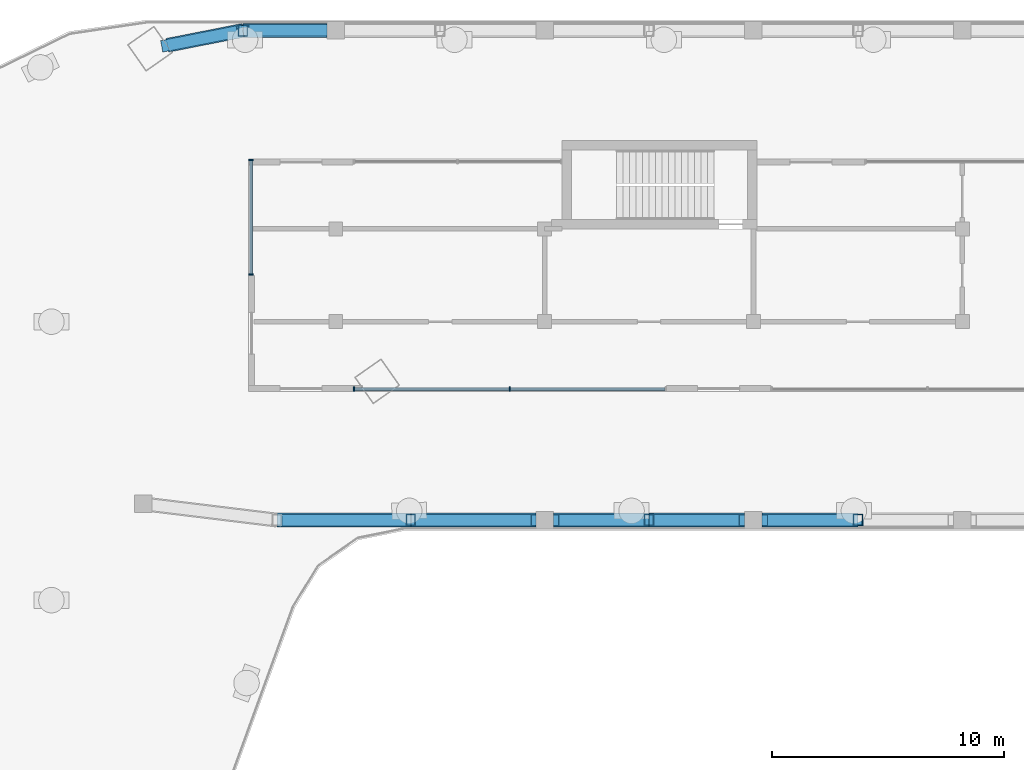
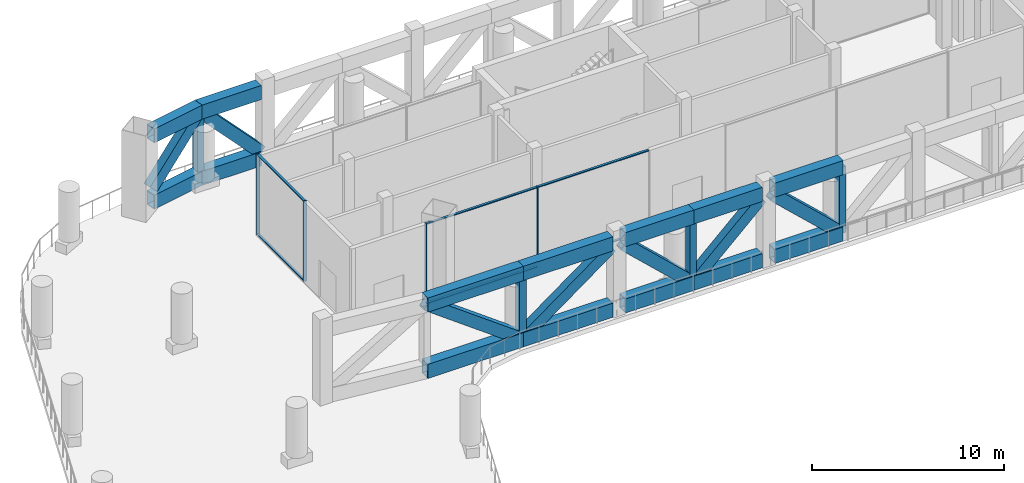
# One storey, part 2 of 14: 35 members, 2 elements without a shape of their own.
"""IFC4 building model written with IfcOpenShell, lengths in metres."""

from ifc_helpers import new_model, si_unit, direction, frame, origin, origin_2d, place, context, subcontext, project, spatial, rectangle, hollow_rectangle, extrude, material, material_profile, profile_set, type_object, element, aggregate, save


model = new_model("IFC4")

# Units and contexts
model_context = context("Model", 3, precision=1e-05, world=origin(), true_north=direction((0.0, 1.0)))
body_context = subcontext(model_context, "Body", "Model", "MODEL_VIEW")
ifc_project = project(units=[si_unit("LENGTHUNIT", "METRE"), si_unit("AREAUNIT", "SQUARE_METRE"), si_unit("VOLUMEUNIT", "CUBIC_METRE"), si_unit("PLANEANGLEUNIT", "RADIAN"), si_unit("MASSUNIT", "GRAM", prefix="KILO")], contexts=[model_context])

# Site, building, storey
site_placement = place(None, origin())
site = spatial("IfcSite", under=ifc_project, at=site_placement, CompositionType="ELEMENT")
building_placement = place(site_placement, origin())
building = spatial("IfcBuilding", under=site, at=building_placement, Name="Skarvind Civic Tower", CompositionType="ELEMENT")
storey_placement = place(building_placement, frame((0.0, 0.0, 236.0)))
storey = spatial("IfcBuildingStorey", under=building, at=storey_placement, Name="L56", CompositionType="ELEMENT", Elevation=236.0)

# Curtain wall, members
ifc_material_1 = material(Name="Aluminium alloy 6063 and laminated glass", Category="aluminium")
curtain_wall_type = type_object("IfcCurtainWallType", Name="CW3 SEPARATOR INNER GLAZING", PredefinedType="NOTDEFINED", material=ifc_material_1)
curtain_wall_1_placement = place(storey_placement, origin())
curtain_wall_1 = element("IfcCurtainWall", 1, at=curtain_wall_1_placement, inside=storey, type_object=curtain_wall_type, Name="SEPARATOR INNER GLAZING", PredefinedType="NOTDEFINED")
ifc_material_2 = material(Name="Aluminium alloy 6063", Category="aluminium")
ifc_material_profile_1 = material_profile(ifc_material_2, rectangle(XDim=0.199951171875, YDim=0.06005859375, at=origin_2d()), Name="AL 60x200")
ifc_profile_set_1 = profile_set([ifc_material_profile_1], Name="Aluminium alloy 6063")
member_type_1 = type_object("IfcMemberType", Name="CW3 MULLION 60x200", PredefinedType="MULLION", material=ifc_profile_set_1)
member_1_placement = place(storey_placement, frame((50.60009765625, 128.030029296875, 0.0), z_axis=(0.0, 0.0, 1.0), x_axis=(-1.0, 0.0, 0.0)))
member_1 = element("IfcMember", 2, at=member_1_placement, type_object=member_type_1, Name="CW3 mullion 1", PredefinedType="MULLION", context=body_context, shape_type="SweptSolid", body=[
    extrude(rectangle(XDim=0.199951171875, YDim=0.06005859375, at=origin_2d()), origin(), (0.0, 0.0, 1.0), 5.125),
])
member_2_placement = place(storey_placement, frame((50.60009765625, 132.969970703125, 0.0), z_axis=(0.0, 0.0, 1.0), x_axis=(-1.0, 0.0, 0.0)))
member_2 = element("IfcMember", 3, at=member_2_placement, type_object=member_type_1, Name="CW3 mullion 2", PredefinedType="MULLION", context=body_context, shape_type="SweptSolid", body=[
    extrude(rectangle(XDim=0.199951171875, YDim=0.06005859375, at=origin_2d()), origin(), (0.0, 0.0, 1.0), 5.125),
])

curtain_wall_2_placement = place(storey_placement, origin())
curtain_wall_2 = element("IfcCurtainWall", 4, at=curtain_wall_2_placement, inside=storey, type_object=curtain_wall_type, Name="SEPARATOR INNER GLAZING", PredefinedType="NOTDEFINED")
member_3_placement = place(storey_placement, frame((61.75, 123.10009765625, 0.0), z_axis=(0.0, 0.0, 1.0), x_axis=(0.0, -1.0, 0.0)))
member_3 = element("IfcMember", 5, at=member_3_placement, type_object=member_type_1, Name="CW3 mullion 2", PredefinedType="MULLION", context=body_context, shape_type="SweptSolid", body=[
    extrude(rectangle(XDim=0.199951171875, YDim=0.06005859375, at=origin_2d()), origin(), (0.0, 0.0, 1.0), 5.125),
])
member_4_placement = place(storey_placement, frame((55.030029296875, 123.10009765625, 0.0), z_axis=(0.0, 0.0, 1.0), x_axis=(0.0, -1.0, 0.0)))
member_4 = element("IfcMember", 6, at=member_4_placement, type_object=member_type_1, Name="CW3 mullion 3", PredefinedType="MULLION", context=body_context, shape_type="SweptSolid", body=[
    extrude(rectangle(XDim=0.199951171875, YDim=0.06005859375, at=origin_2d()), origin(), (0.0, 0.0, 1.0), 5.125),
])

# Member
ifc_material_profile_2 = material_profile(ifc_material_2, rectangle(XDim=0.139892578125, YDim=0.06005859375, at=origin_2d()), Name="AL 60x140")
ifc_profile_set_2 = profile_set([ifc_material_profile_2], Name="Aluminium alloy 6063")
member_type_2 = type_object("IfcMemberType", Name="CW3 TRANSOM 60x140", PredefinedType="USERDEFINED", material=ifc_profile_set_2)
member_5_placement = place(storey_placement, frame((50.60009765625, 128.06005859375, 0.030029296875), z_axis=(0.0, 1.0, 0.0), x_axis=(-1.0, 0.0, 0.0)))
member_5 = element("IfcMember", 7, at=member_5_placement, type_object=member_type_2, Name="CW3 transom 1.1", ObjectType="TRANSOM", PredefinedType="USERDEFINED", context=body_context, shape_type="SweptSolid", body=[
    extrude(rectangle(XDim=0.139892578125, YDim=0.06005859375, at=origin_2d()), origin(), (0.0, 0.0, 1.0), 4.8798828125),
])

member_6_placement = place(storey_placement, frame((50.60009765625, 128.06005859375, 5.094970703125), z_axis=(0.0, 1.0, 0.0), x_axis=(-1.0, 0.0, 0.0)))
member_6 = element("IfcMember", 8, at=member_6_placement, type_object=member_type_2, Name="CW3 transom 1.2", ObjectType="TRANSOM", PredefinedType="USERDEFINED", context=body_context, shape_type="SweptSolid", body=[
    extrude(rectangle(XDim=0.139892578125, YDim=0.06005859375, at=origin_2d()), origin(), (0.0, 0.0, 1.0), 4.8798828125),
])

aggregate(curtain_wall_1, [member_1, member_2, member_5, member_6])

member_7_placement = place(storey_placement, frame((68.43994140625, 123.10009765625, 0.030029296875), z_axis=(-1.0, 0.0, 0.0), x_axis=(0.0, -1.0, 0.0)))
member_7 = element("IfcMember", 9, at=member_7_placement, type_object=member_type_2, Name="CW3 transom 1.1", ObjectType="TRANSOM", PredefinedType="USERDEFINED", context=body_context, shape_type="SweptSolid", body=[
    extrude(rectangle(XDim=0.139892578125, YDim=0.06005859375, at=origin_2d()), origin(), (0.0, 0.0, 1.0), 6.659912109375),
])

member_8_placement = place(storey_placement, frame((68.43994140625, 123.10009765625, 5.094970703125), z_axis=(-1.0, 0.0, 0.0), x_axis=(0.0, -1.0, 0.0)))
member_8 = element("IfcMember", 10, at=member_8_placement, type_object=member_type_2, Name="CW3 transom 1.2", ObjectType="TRANSOM", PredefinedType="USERDEFINED", context=body_context, shape_type="SweptSolid", body=[
    extrude(rectangle(XDim=0.139892578125, YDim=0.06005859375, at=origin_2d()), origin(), (0.0, 0.0, 1.0), 6.659912109375),
])

member_9_placement = place(storey_placement, frame((61.719970703125, 123.10009765625, 0.030029296875), z_axis=(-1.0, 0.0, 0.0), x_axis=(0.0, -1.0, 0.0)))
member_9 = element("IfcMember", 11, at=member_9_placement, type_object=member_type_2, Name="CW3 transom 2.1", ObjectType="TRANSOM", PredefinedType="USERDEFINED", context=body_context, shape_type="SweptSolid", body=[
    extrude(rectangle(XDim=0.139892578125, YDim=0.06005859375, at=origin_2d()), origin(), (0.0, 0.0, 1.0), 6.659912109375),
])

member_10_placement = place(storey_placement, frame((61.719970703125, 123.10009765625, 5.094970703125), z_axis=(-1.0, 0.0, 0.0), x_axis=(0.0, -1.0, 0.0)))
member_10 = element("IfcMember", 12, at=member_10_placement, type_object=member_type_2, Name="CW3 transom 2.2", ObjectType="TRANSOM", PredefinedType="USERDEFINED", context=body_context, shape_type="SweptSolid", body=[
    extrude(rectangle(XDim=0.139892578125, YDim=0.06005859375, at=origin_2d()), origin(), (0.0, 0.0, 1.0), 6.659912109375),
])

aggregate(curtain_wall_2, [member_3, member_4, member_7, member_8, member_9, member_10])

# Members
ifc_material_3 = material(Name="Steel SM355", Category="steel")
ifc_material_profile_3 = material_profile(ifc_material_3, hollow_rectangle(XDim=0.60009765625, YDim=0.89990234375, WallThickness=0.031982421875, at=origin_2d()), Name="BOX-900x600x32")
ifc_profile_set_3 = profile_set([ifc_material_profile_3], Name="Steel SM355")
member_type_3 = type_object("IfcMemberType", Name="Truss chord BOX-900x600x32 SM355", PredefinedType="CHORD", material=ifc_profile_set_3)
for number, where, z_axis, x_axis, name in (
    (13, (46.998046875, 137.91015625, 0.449951171875), (0.981168592645, 0.193153288367, 0.0), (-0.193153288367, 0.981168592645, 0.0), "Outrigger truss L56 W1N chord"),
    (14, (46.998046875, 137.91015625, 4.675048828125), (0.981168592645, 0.193153288367, 0.0), (-0.193153288367, 0.981168592645, 0.0), "Outrigger truss L56 W1N chord"),
):
    element("IfcMember", number, at=place(storey_placement, frame(where, z_axis=z_axis, x_axis=x_axis)), inside=storey, type_object=member_type_3, Name=name, PredefinedType="CHORD", context=body_context, shape_type="SweptSolid", body=[
        extrude(hollow_rectangle(XDim=0.60009765625, YDim=0.89990234375, WallThickness=0.031982421875, at=origin_2d()), origin(), (0.0, 0.0, 1.0), 3.31298828125),
    ])
for number, where, z_axis, x_axis, name in (
    (15, (50.24853515625, 138.550048828125, 0.449951171875), (1.0, 0.0, 0.0), (0.0, 1.0, 0.0), "Outrigger truss L56 W1N chord"),
    (16, (50.24853515625, 138.550048828125, 4.675048828125), (1.0, 0.0, 0.0), (0.0, 1.0, 0.0), "Outrigger truss L56 W1N chord"),
):
    element("IfcMember", number, at=place(storey_placement, frame(where, z_axis=z_axis, x_axis=x_axis)), inside=storey, type_object=member_type_3, Name=name, PredefinedType="CHORD", context=body_context, shape_type="SweptSolid", body=[
        extrude(hollow_rectangle(XDim=0.60009765625, YDim=0.89990234375, WallThickness=0.031982421875, at=origin_2d()), origin(), (0.0, 0.0, 1.0), 3.62646484375),
    ])
for number, where, z_axis, x_axis, name in (
    (17, (51.7177734375, 117.449951171875, 0.449951171875), (1.0, 0.0, 0.0), (0.0, 1.0, 0.0), "Outrigger truss L56 W1S chord"),
    (18, (51.7177734375, 117.449951171875, 4.675048828125), (1.0, 0.0, 0.0), (0.0, 1.0, 0.0), "Outrigger truss L56 W1S chord"),
):
    element("IfcMember", number, at=place(storey_placement, frame(where, z_axis=z_axis, x_axis=x_axis)), inside=storey, type_object=member_type_3, Name=name, PredefinedType="CHORD", context=body_context, shape_type="SweptSolid", body=[
        extrude(hollow_rectangle(XDim=0.60009765625, YDim=0.89990234375, WallThickness=0.031982421875, at=origin_2d()), origin(), (0.0, 0.0, 1.0), 5.76611328125),
    ])
for number, where, z_axis, x_axis, name in (
    (19, (57.48388671875, 117.449951171875, 0.449951171875), (1.0, 0.0, 0.0), (0.0, 1.0, 0.0), "Outrigger truss L56 W1S chord"),
    (20, (57.48388671875, 117.449951171875, 4.675048828125), (1.0, 0.0, 0.0), (0.0, 1.0, 0.0), "Outrigger truss L56 W1S chord"),
):
    element("IfcMember", number, at=place(storey_placement, frame(where, z_axis=z_axis, x_axis=x_axis)), inside=storey, type_object=member_type_3, Name=name, PredefinedType="CHORD", context=body_context, shape_type="SweptSolid", body=[
        extrude(hollow_rectangle(XDim=0.60009765625, YDim=0.89990234375, WallThickness=0.031982421875, at=origin_2d()), origin(), (0.0, 0.0, 1.0), 5.39111328125),
    ])
for number, where, z_axis, x_axis, name in (
    (21, (63.625, 117.449951171875, 0.449951171875), (1.0, 0.0, 0.0), (0.0, 1.0, 0.0), "Outrigger truss L56 W1S chord"),
    (22, (63.625, 117.449951171875, 4.675048828125), (1.0, 0.0, 0.0), (0.0, 1.0, 0.0), "Outrigger truss L56 W1S chord"),
    (23, (67.75, 117.449951171875, 0.449951171875), (1.0, 0.0, 0.0), (0.0, 1.0, 0.0), "Outrigger truss L56 W1S chord"),
    (24, (67.75, 117.449951171875, 4.675048828125), (1.0, 0.0, 0.0), (0.0, 1.0, 0.0), "Outrigger truss L56 W1S chord"),
    (25, (72.625, 117.449951171875, 0.449951171875), (1.0, 0.0, 0.0), (0.0, 1.0, 0.0), "Outrigger truss L56 W1S chord"),
    (26, (72.625, 117.449951171875, 4.675048828125), (1.0, 0.0, 0.0), (0.0, 1.0, 0.0), "Outrigger truss L56 W1S chord"),
):
    element("IfcMember", number, at=place(storey_placement, frame(where, z_axis=z_axis, x_axis=x_axis)), inside=storey, type_object=member_type_3, Name=name, PredefinedType="CHORD", context=body_context, shape_type="SweptSolid", body=[
        extrude(hollow_rectangle(XDim=0.60009765625, YDim=0.89990234375, WallThickness=0.031982421875, at=origin_2d()), origin(), (0.0, 0.0, 1.0), 4.125),
    ])
ifc_material_profile_4 = material_profile(ifc_material_3, hollow_rectangle(XDim=0.5, YDim=0.699951171875, WallThickness=0.02197265625, at=origin_2d()), Name="BOX-700x500x22")
ifc_profile_set_4 = profile_set([ifc_material_profile_4], Name="Steel SM355")
member_type_4 = type_object("IfcMemberType", Name="Truss diagonal BOX-700x500x22 SM355", PredefinedType="BRACE", material=ifc_profile_set_4)
member_11_placement = place(storey_placement, frame((46.998046875, 137.91015625, 1.242919921875), z_axis=(0.681417948353, 0.134144242349, 0.719496283456), x_axis=(-0.193153288367, 0.981168592645, 0.0)))
element("IfcMember", 27, at=member_11_placement, inside=storey, type_object=member_type_4, Name="Outrigger truss L56 W1N diagonal", PredefinedType="BRACE", context=body_context, shape_type="SweptSolid", body=[
    extrude(hollow_rectangle(XDim=0.5, YDim=0.699951171875, WallThickness=0.02197265625, at=origin_2d()), origin(), (0.0, 0.0, 1.0), 4.770263671875),
])
member_12_placement = place(storey_placement, frame((50.24853515625, 138.550048828125, 4.675048828125), z_axis=(0.687634212887, 0.0, -0.726057290623), x_axis=(0.0, 1.0, 0.0)))
element("IfcMember", 28, at=member_12_placement, inside=storey, type_object=member_type_4, Name="Outrigger truss L56 W1N diagonal", PredefinedType="BRACE", context=body_context, shape_type="SweptSolid", body=[
    extrude(hollow_rectangle(XDim=0.5, YDim=0.699951171875, WallThickness=0.02197265625, at=origin_2d()), origin(), (0.0, 0.0, 1.0), 5.27392578125),
])
member_13_placement = place(storey_placement, frame((51.7177734375, 117.449951171875, 4.675048828125), z_axis=(0.806630782627, 0.0, -0.591055649257), x_axis=(0.0, 1.0, 0.0)))
element("IfcMember", 29, at=member_13_placement, inside=storey, type_object=member_type_4, Name="Outrigger truss L56 W1S diagonal", PredefinedType="BRACE", context=body_context, shape_type="SweptSolid", body=[
    extrude(hollow_rectangle(XDim=0.5, YDim=0.699951171875, WallThickness=0.02197265625, at=origin_2d()), origin(), (0.0, 0.0, 1.0), 7.1484375),
])
member_14_placement = place(storey_placement, frame((57.48388671875, 117.449951171875, 0.449951171875), z_axis=(0.806639522164, 0.0, 0.591043721973), x_axis=(0.0, 1.0, 0.0)))
element("IfcMember", 30, at=member_14_placement, inside=storey, type_object=member_type_4, Name="Outrigger truss L56 W1S diagonal", PredefinedType="BRACE", context=body_context, shape_type="SweptSolid", body=[
    extrude(hollow_rectangle(XDim=0.5, YDim=0.699951171875, WallThickness=0.02197265625, at=origin_2d()), origin(), (0.0, 0.0, 1.0), 6.683349609375),
])
for number, where, z_axis, x_axis, name in (
    (31, (63.625, 117.449951171875, 4.322998046875), (0.729020302301, 0.0, -0.684492073609), (0.0, 1.0, 0.0), "Outrigger truss L56 W1S diagonal"),
    (32, (67.75, 117.449951171875, 0.449951171875), (0.729020302301, 0.0, 0.684492073609), (0.0, 1.0, 0.0), "Outrigger truss L56 W1S diagonal"),
    (33, (72.625, 117.449951171875, 4.322998046875), (0.729020302301, 0.0, -0.684492073609), (0.0, 1.0, 0.0), "Outrigger truss L56 W1S diagonal"),
):
    element("IfcMember", number, at=place(storey_placement, frame(where, z_axis=z_axis, x_axis=x_axis)), inside=storey, type_object=member_type_4, Name=name, PredefinedType="BRACE", context=body_context, shape_type="SweptSolid", body=[
        extrude(hollow_rectangle(XDim=0.5, YDim=0.699951171875, WallThickness=0.02197265625, at=origin_2d()), origin(), (0.0, 0.0, 1.0), 5.658203125),
    ])
ifc_material_profile_5 = material_profile(ifc_material_3, hollow_rectangle(XDim=0.39990234375, YDim=0.5, WallThickness=0.02001953125, at=origin_2d()), Name="BOX-500x400x20")
ifc_profile_set_5 = profile_set([ifc_material_profile_5], Name="Steel SM355")
member_type_5 = type_object("IfcMemberType", Name="Truss post BOX-500x400x20 SM355", PredefinedType="POST", material=ifc_profile_set_5)
for number, where, z_axis, x_axis, name in (
    (34, (50.24853515625, 138.550048828125, 0.449951171875), (0.0, 0.0, 1.0), (1.0, 0.0, 0.0), "Outrigger truss L56 W1N post"),
    (35, (57.48388671875, 117.449951171875, 0.449951171875), (0.0, 0.0, 1.0), (1.0, 0.0, 0.0), "Outrigger truss L56 W1S post"),
    (36, (67.75, 117.449951171875, 0.449951171875), (0.0, 0.0, 1.0), (1.0, 0.0, 0.0), "Outrigger truss L56 W1S post"),
    (37, (76.75, 117.449951171875, 0.449951171875), (0.0, 0.0, 1.0), (1.0, 0.0, 0.0), "Outrigger truss L56 W1S post"),
):
    element("IfcMember", number, at=place(storey_placement, frame(where, z_axis=z_axis, x_axis=x_axis)), inside=storey, type_object=member_type_5, Name=name, PredefinedType="POST", context=body_context, shape_type="SweptSolid", body=[
        extrude(hollow_rectangle(XDim=0.39990234375, YDim=0.5, WallThickness=0.02001953125, at=origin_2d()), origin(), (0.0, 0.0, 1.0), 4.22509765625),
    ])

save(model, "model.ifc")
